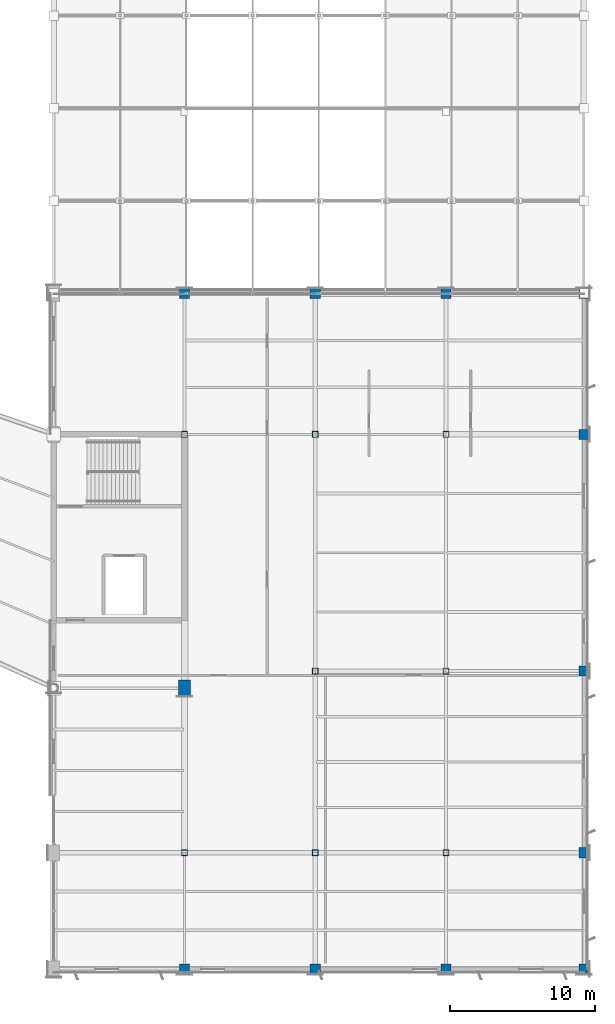
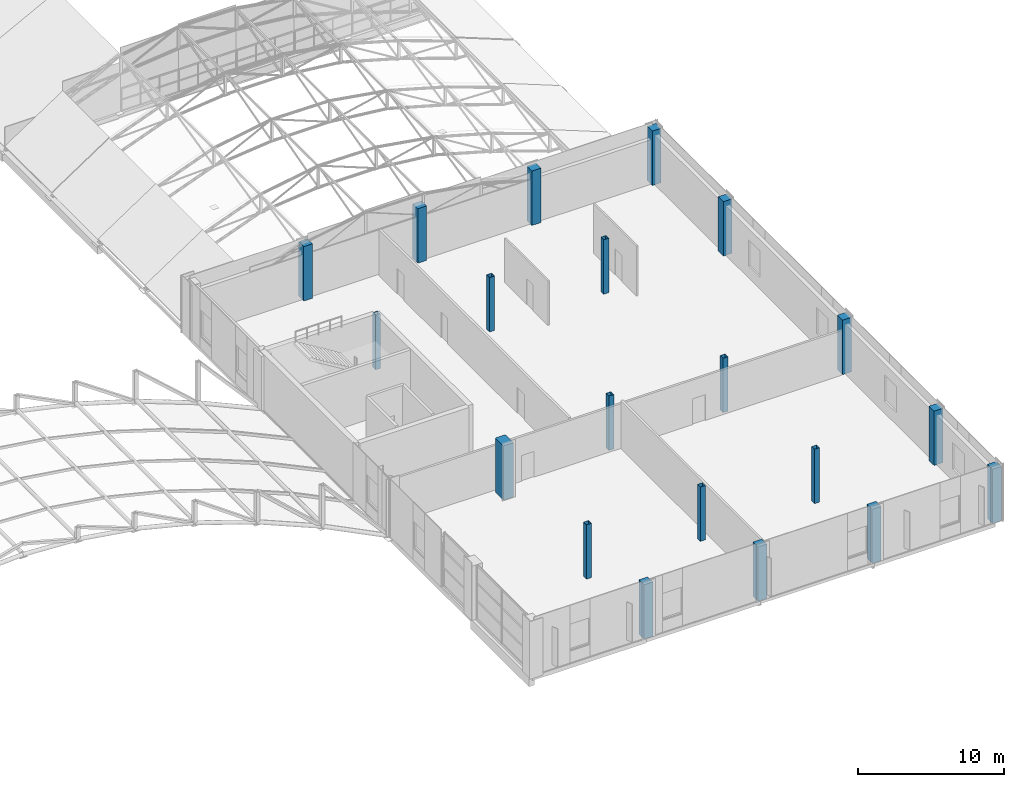
# One storey, part 6 of 101: 20 columns.
"""IFC4 building model written with IfcOpenShell, lengths in metres."""

from ifc_helpers import new_model, si_unit, direction, frame, origin, origin_2d, place, context, subcontext, project, spatial, rectangle, hollow_rectangle, extrude, material, material_profile, profile_set, type_object, element, save


model = new_model("IFC4")

# Units and contexts
model_context = context("Model", 3, precision=1e-05, world=origin(), true_north=direction((0.0, 1.0)))
body_context = subcontext(model_context, "Body", "Model", "MODEL_VIEW")
ifc_project = project(units=[si_unit("LENGTHUNIT", "METRE"), si_unit("AREAUNIT", "SQUARE_METRE"), si_unit("VOLUMEUNIT", "CUBIC_METRE"), si_unit("PLANEANGLEUNIT", "RADIAN"), si_unit("MASSUNIT", "GRAM", prefix="KILO")], contexts=[model_context])

# Site, building, storey
site_placement = place(None, origin())
site = spatial("IfcSite", under=ifc_project, at=site_placement, CompositionType="ELEMENT")
building_placement = place(site_placement, origin())
building = spatial("IfcBuilding", under=site, at=building_placement, Name="Solvikara Media Centre", CompositionType="ELEMENT")
storey_placement = place(building_placement, frame((0.0, 0.0, 10.199951171875)))
storey = spatial("IfcBuildingStorey", under=building, at=storey_placement, Name="L02", CompositionType="ELEMENT", Elevation=10.199951171875)

# Columns
ifc_material_1 = material(Name="Concrete fc' 45 MPa (C45/55)", Category="concrete")
ifc_material_profile_1 = material_profile(ifc_material_1, rectangle(XDim=0.699951171875, YDim=0.699951171875, at=origin_2d()), Name="RC 700x700")
ifc_profile_set_1 = profile_set([ifc_material_profile_1], Name="Concrete fc' 45 MPa (C45/55)")
column_type_1 = type_object("IfcColumnType", Name="CL-15", PredefinedType="COLUMN", material=ifc_profile_set_1)
column_1_placement = place(storey_placement, frame((136.5, 0.0, 0.0), z_axis=(0.0, 0.0, 1.0), x_axis=(1.0, 0.0, 0.0)))
element("IfcColumn", 1, at=column_1_placement, inside=storey, type_object=column_type_1, Name="C-L02-1365-0000", PredefinedType="COLUMN", context=body_context, shape_type="SweptSolid", body=[
    extrude(rectangle(XDim=0.699951171875, YDim=0.699951171875, at=origin_2d()), origin(), (0.0, 0.0, 1.0), 4.530029296875),
])
column_2_placement = place(storey_placement, frame((136.5, 46.5, 0.0), z_axis=(0.0, 0.0, 1.0), x_axis=(1.0, 0.0, 0.0)))
element("IfcColumn", 2, at=column_2_placement, inside=storey, type_object=column_type_1, Name="C-L02-1365-0465", PredefinedType="COLUMN", context=body_context, shape_type="SweptSolid", body=[
    extrude(rectangle(XDim=0.699951171875, YDim=0.699951171875, at=origin_2d()), origin(), (0.0, 0.0, 1.0), 4.5400390625),
])
column_3_placement = place(storey_placement, frame((145.5, 0.0, 0.0), z_axis=(0.0, 0.0, 1.0), x_axis=(1.0, 0.0, 0.0)))
element("IfcColumn", 3, at=column_3_placement, inside=storey, type_object=column_type_1, Name="C-L02-1455-0000", PredefinedType="COLUMN", context=body_context, shape_type="SweptSolid", body=[
    extrude(rectangle(XDim=0.699951171875, YDim=0.699951171875, at=origin_2d()), origin(), (0.0, 0.0, 1.0), 4.530029296875),
])
column_4_placement = place(storey_placement, frame((145.5, 46.5, 0.0), z_axis=(0.0, 0.0, 1.0), x_axis=(1.0, 0.0, 0.0)))
element("IfcColumn", 4, at=column_4_placement, inside=storey, type_object=column_type_1, Name="C-L02-1455-0465", PredefinedType="COLUMN", context=body_context, shape_type="SweptSolid", body=[
    extrude(rectangle(XDim=0.699951171875, YDim=0.699951171875, at=origin_2d()), origin(), (0.0, 0.0, 1.0), 4.5400390625),
])
column_5_placement = place(storey_placement, frame((154.5, 0.0, 0.0), z_axis=(0.0, 0.0, 1.0), x_axis=(1.0, 0.0, 0.0)))
element("IfcColumn", 5, at=column_5_placement, inside=storey, type_object=column_type_1, Name="C-L02-1545-0000", PredefinedType="COLUMN", context=body_context, shape_type="SweptSolid", body=[
    extrude(rectangle(XDim=0.699951171875, YDim=0.699951171875, at=origin_2d()), origin(), (0.0, 0.0, 1.0), 4.530029296875),
])
column_6_placement = place(storey_placement, frame((154.5, 46.5, 0.0), z_axis=(0.0, 0.0, 1.0), x_axis=(1.0, 0.0, 0.0)))
element("IfcColumn", 6, at=column_6_placement, inside=storey, type_object=column_type_1, Name="C-L02-1545-0465", PredefinedType="COLUMN", context=body_context, shape_type="SweptSolid", body=[
    extrude(rectangle(XDim=0.699951171875, YDim=0.699951171875, at=origin_2d()), origin(), (0.0, 0.0, 1.0), 4.5400390625),
])
for number, where, z_axis, x_axis, name in (
    (7, (164.0, 0.0, 0.0), (0.0, 0.0, 1.0), (1.0, 0.0, 0.0), "C-L02-1640-0000"),
    (8, (164.0, 8.0, 0.0), (0.0, 0.0, 1.0), (1.0, 0.0, 0.0), "C-L02-1640-0080"),
):
    element("IfcColumn", number, at=place(storey_placement, frame(where, z_axis=z_axis, x_axis=x_axis)), inside=storey, type_object=column_type_1, Name=name, PredefinedType="COLUMN", context=body_context, shape_type="SweptSolid", body=[
        extrude(rectangle(XDim=0.699951171875, YDim=0.699951171875, at=origin_2d()), origin(), (0.0, 0.0, 1.0), 4.530029296875),
    ])
for number, where, z_axis, x_axis, name in (
    (9, (164.0, 20.5, 0.0), (0.0, 0.0, 1.0), (1.0, 0.0, 0.0), "C-L02-1640-0205"),
    (10, (164.0, 36.800048828125, 0.0), (0.0, 0.0, 1.0), (1.0, 0.0, 0.0), "C-L02-1640-0368"),
    (11, (164.0, 46.5, 0.0), (0.0, 0.0, 1.0), (1.0, 0.0, 0.0), "C-L02-1640-0465"),
):
    element("IfcColumn", number, at=place(storey_placement, frame(where, z_axis=z_axis, x_axis=x_axis)), inside=storey, type_object=column_type_1, Name=name, PredefinedType="COLUMN", context=body_context, shape_type="SweptSolid", body=[
        extrude(rectangle(XDim=0.699951171875, YDim=0.699951171875, at=origin_2d()), origin(), (0.0, 0.0, 1.0), 4.5400390625),
    ])
ifc_material_profile_2 = material_profile(ifc_material_1, rectangle(XDim=0.800048828125, YDim=1.10009765625, at=origin_2d()), Name="RC 800x1100")
ifc_profile_set_2 = profile_set([ifc_material_profile_2], Name="Concrete fc' 45 MPa (C45/55)")
column_type_2 = type_object("IfcColumnType", Name="CL-17", PredefinedType="COLUMN", material=ifc_profile_set_2)
column_7_placement = place(storey_placement, frame((136.5, 19.323974609375, 0.0), z_axis=(0.0, 0.0, 1.0), x_axis=(1.0, 0.0, 0.0)))
element("IfcColumn", 12, at=column_7_placement, inside=storey, type_object=column_type_2, Name="C-L02-1365-0193", PredefinedType="COLUMN", context=body_context, shape_type="SweptSolid", body=[
    extrude(rectangle(XDim=0.800048828125, YDim=1.10009765625, at=origin_2d()), origin(), (0.0, 0.0, 1.0), 4.530029296875),
])
ifc_material_2 = material(Name="Steel S355JR", Category="steel")
ifc_material_profile_3 = material_profile(ifc_material_2, hollow_rectangle(XDim=0.39990234375, YDim=0.39990234375, WallThickness=0.01611328125, at=origin_2d()), Name="RHS 400x400x16")
ifc_profile_set_3 = profile_set([ifc_material_profile_3], Name="Steel S355JR")
column_type_3 = type_object("IfcColumnType", Name="CL-27", PredefinedType="COLUMN", material=ifc_profile_set_3)
column_8_placement = place(storey_placement, frame((136.5, 8.0, 0.0), z_axis=(0.0, 0.0, 1.0), x_axis=(1.0, 0.0, 0.0)))
element("IfcColumn", 13, at=column_8_placement, inside=storey, type_object=column_type_3, Name="C-L02-1365-0080", PredefinedType="COLUMN", context=body_context, shape_type="SweptSolid", body=[
    extrude(hollow_rectangle(XDim=0.39990234375, YDim=0.39990234375, WallThickness=0.01611328125, at=origin_2d()), origin(), (0.0, 0.0, 1.0), 4.530029296875),
])
column_9_placement = place(storey_placement, frame((136.5, 36.800048828125, 0.0), z_axis=(0.0, 0.0, 1.0), x_axis=(1.0, 0.0, 0.0)))
element("IfcColumn", 14, at=column_9_placement, inside=storey, type_object=column_type_3, Name="C-L02-1365-0368", PredefinedType="COLUMN", context=body_context, shape_type="SweptSolid", body=[
    extrude(hollow_rectangle(XDim=0.39990234375, YDim=0.39990234375, WallThickness=0.01611328125, at=origin_2d()), origin(), (0.0, 0.0, 1.0), 4.5400390625),
])
column_10_placement = place(storey_placement, frame((145.5, 8.0, 0.0), z_axis=(0.0, 0.0, 1.0), x_axis=(1.0, 0.0, 0.0)))
element("IfcColumn", 15, at=column_10_placement, inside=storey, type_object=column_type_3, Name="C-L02-1455-0080", PredefinedType="COLUMN", context=body_context, shape_type="SweptSolid", body=[
    extrude(hollow_rectangle(XDim=0.39990234375, YDim=0.39990234375, WallThickness=0.01611328125, at=origin_2d()), origin(), (0.0, 0.0, 1.0), 4.530029296875),
])
for number, where, z_axis, x_axis, name in (
    (16, (145.5, 20.5, 0.0), (0.0, 0.0, 1.0), (1.0, 0.0, 0.0), "C-L02-1455-0205"),
    (17, (145.5, 36.800048828125, 0.0), (0.0, 0.0, 1.0), (1.0, 0.0, 0.0), "C-L02-1455-0368"),
):
    element("IfcColumn", number, at=place(storey_placement, frame(where, z_axis=z_axis, x_axis=x_axis)), inside=storey, type_object=column_type_3, Name=name, PredefinedType="COLUMN", context=body_context, shape_type="SweptSolid", body=[
        extrude(hollow_rectangle(XDim=0.39990234375, YDim=0.39990234375, WallThickness=0.01611328125, at=origin_2d()), origin(), (0.0, 0.0, 1.0), 4.5400390625),
    ])
column_11_placement = place(storey_placement, frame((154.5, 8.0, 0.0), z_axis=(0.0, 0.0, 1.0), x_axis=(1.0, 0.0, 0.0)))
element("IfcColumn", 18, at=column_11_placement, inside=storey, type_object=column_type_3, Name="C-L02-1545-0080", PredefinedType="COLUMN", context=body_context, shape_type="SweptSolid", body=[
    extrude(hollow_rectangle(XDim=0.39990234375, YDim=0.39990234375, WallThickness=0.01611328125, at=origin_2d()), origin(), (0.0, 0.0, 1.0), 4.530029296875),
])
for number, where, z_axis, x_axis, name in (
    (19, (154.5, 20.5, 0.0), (0.0, 0.0, 1.0), (1.0, 0.0, 0.0), "C-L02-1545-0205"),
    (20, (154.5, 36.800048828125, 0.0), (0.0, 0.0, 1.0), (1.0, 0.0, 0.0), "C-L02-1545-0368"),
):
    element("IfcColumn", number, at=place(storey_placement, frame(where, z_axis=z_axis, x_axis=x_axis)), inside=storey, type_object=column_type_3, Name=name, PredefinedType="COLUMN", context=body_context, shape_type="SweptSolid", body=[
        extrude(hollow_rectangle(XDim=0.39990234375, YDim=0.39990234375, WallThickness=0.01611328125, at=origin_2d()), origin(), (0.0, 0.0, 1.0), 4.5400390625),
    ])

save(model, "model.ifc")
